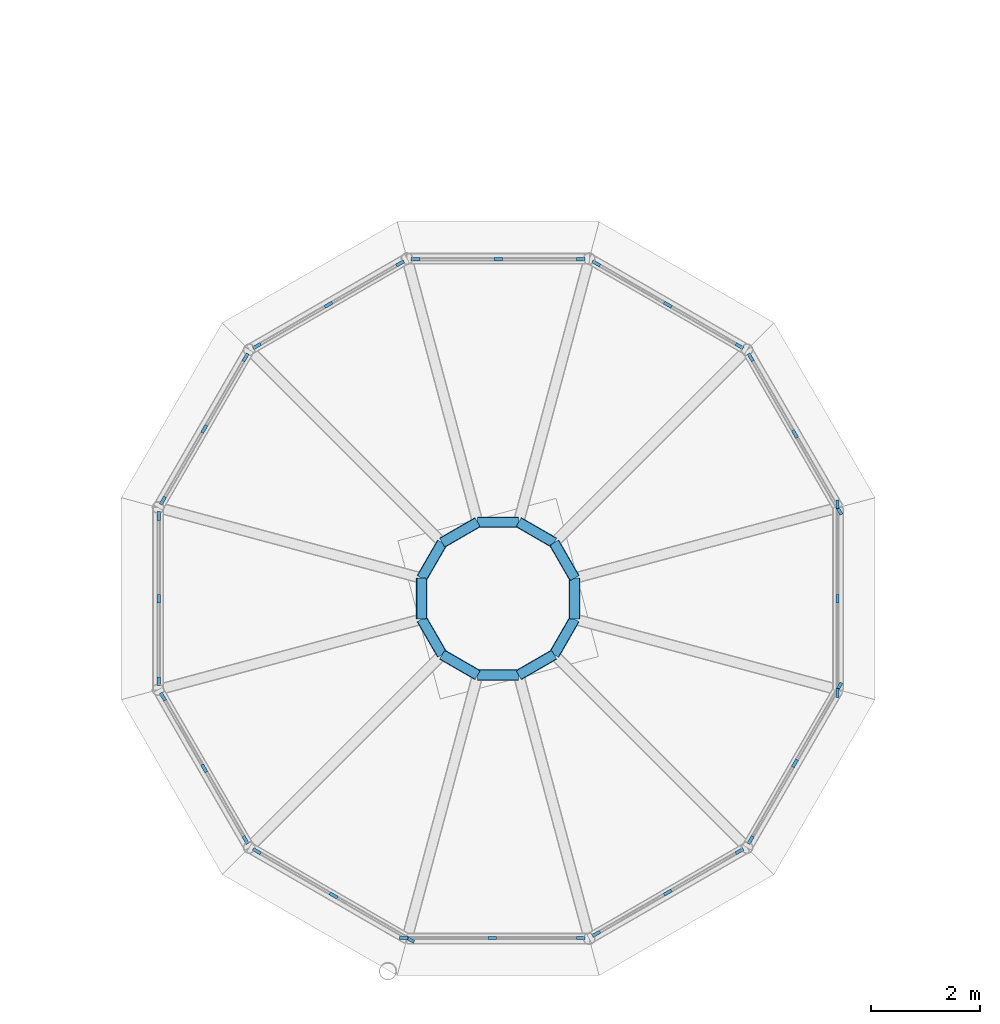
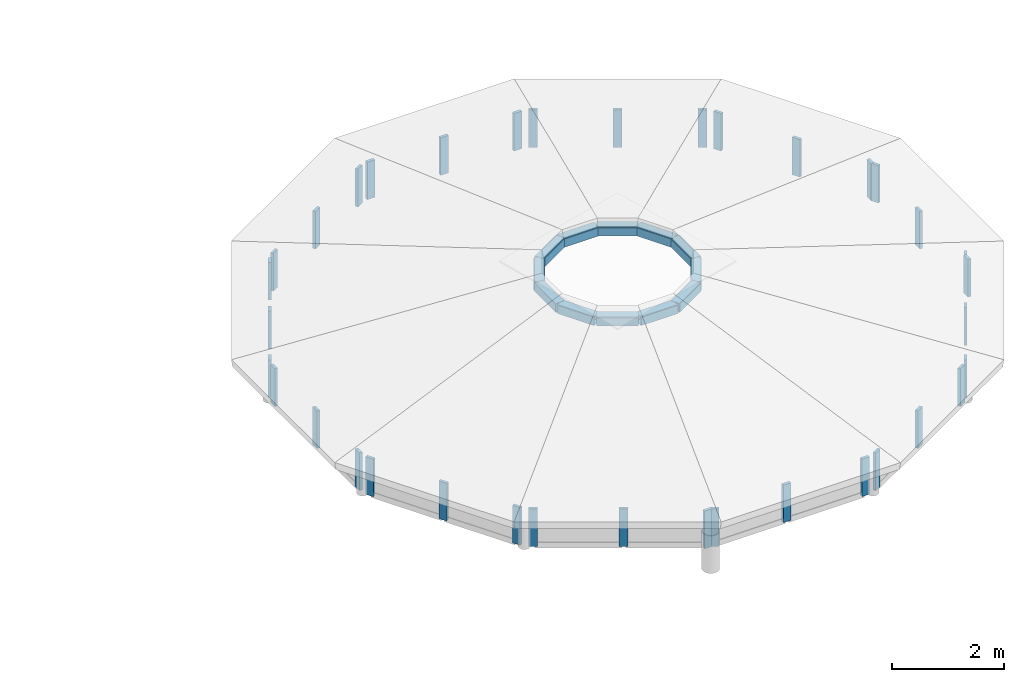
# One storey, part 4 of 18: 48 members, 12 elements without a shape of their own.
"""IFC4 building model written with IfcOpenShell, lengths in metres."""

import ifcopenshell
import ifcopenshell.guid

model = None  # the IFC model being written
_history = None  # IfcOwnerHistory: only IFC2X3 demands one
_inside = {}  # id of a spatial element -> (the spatial element, [elements in it])
_under = {}  # id of a project, library or spatial element -> (it, [spatial elements below it])
_declared = {}  # id of a project -> (the project, [libraries it declares])
_typed = {}  # id of a type object -> (the type object, [elements of that type])
_made_of = {}  # id of a material, layer set ... -> (it, [elements and type objects made of it])


def new_model(schema):
    """Start an empty IFC model of exactly this schema.

    Asked for "IFC4X3", IfcOpenShell would pick the latest addendum, in which some entities
    have other attributes; the version numbers below select the first issue.
    IFC2X3 requires an IfcOwnerHistory on every rooted entity: one is made here for all.
    """
    global model, _history
    if schema == "IFC4X3":
        model = ifcopenshell.file(schema_version=(4, 3, 0, 0))
    else:
        model = ifcopenshell.file(schema=schema)
    _inside.clear()
    _under.clear()
    _declared.clear()
    _typed.clear()
    _made_of.clear()
    _history = None
    if model.schema == "IFC2X3":
        org = make("IfcOrganization", Name="unknown")
        user = make(
            "IfcPersonAndOrganization",
            ThePerson=make("IfcPerson", FamilyName="unknown"),
            TheOrganization=org,
        )
        app = make(
            "IfcApplication",
            ApplicationDeveloper=org,
            Version="unknown",
            ApplicationFullName="unknown",
            ApplicationIdentifier="unknown",
        )
        _history = make(
            "IfcOwnerHistory",
            OwningUser=user,
            OwningApplication=app,
            ChangeAction="ADDED",
            CreationDate=0,
        )
    return model


def make(cls, **values):
    """One entity of the class cls with the attributes given. An attribute that is None is left unset."""
    return model.create_entity(
        cls, **{name: value for name, value in values.items() if value is not None}
    )


def rooted(cls, **values):
    """An entity with a GlobalId (a new one), such as an element, a storey or a relation."""
    return make(cls, GlobalId=ifcopenshell.guid.new(), OwnerHistory=_history, **values)


def si_unit(unit_type, name, prefix=None):
    """IfcSIUnit, for example si_unit("LENGTHUNIT", "METRE", prefix="MILLI")."""
    return make("IfcSIUnit", UnitType=unit_type, Prefix=prefix, Name=name)


def assignment(units):
    """IfcUnitAssignment: the units of a project."""
    return None if units is None else make("IfcUnitAssignment", Units=units)


def point(xyz):
    """IfcCartesianPoint."""
    return None if xyz is None else make("IfcCartesianPoint", Coordinates=xyz)


def direction(xyz):
    """IfcDirection."""
    return None if xyz is None else make("IfcDirection", DirectionRatios=xyz)


def frame(location, z_axis=None, x_axis=None):
    """IfcAxis2Placement3D, a coordinate frame: its origin and axes. An axis left out is left unset."""
    return make(
        "IfcAxis2Placement3D",
        Location=point(location),
        Axis=direction(z_axis),
        RefDirection=direction(x_axis),
    )


def frame_2d(location, x_axis=None):
    """IfcAxis2Placement2D, a coordinate frame in the plane: its origin and x axis."""
    return make(
        "IfcAxis2Placement2D", Location=point(location), RefDirection=direction(x_axis)
    )


def origin():
    """The frame at (0, 0, 0) with its axes left unset."""
    return frame((0.0, 0.0, 0.0))


def origin_2d():
    """The frame at (0, 0) in the plane with its x axis left unset."""
    return frame_2d((0.0, 0.0))


def place(relative_to, where):
    """IfcLocalPlacement: puts the frame where relative to a parent placement (None: the world)."""
    return make(
        "IfcLocalPlacement", PlacementRelTo=relative_to, RelativePlacement=where
    )


def context(
    kind, dimensions, precision=None, world=None, true_north=None, identifier=None
):
    """IfcGeometricRepresentationContext, for example the 3D "Model" context."""
    return make(
        "IfcGeometricRepresentationContext",
        ContextIdentifier=identifier,
        ContextType=kind,
        CoordinateSpaceDimension=dimensions,
        Precision=precision,
        WorldCoordinateSystem=world,
        TrueNorth=true_north,
    )


def subcontext(parent, identifier, kind, view, scale=None):
    """IfcGeometricRepresentationSubContext, for example "Body" below "Model"."""
    return make(
        "IfcGeometricRepresentationSubContext",
        ContextIdentifier=identifier,
        ContextType=kind,
        ParentContext=parent,
        TargetScale=scale,
        TargetView=view,
    )


def project(units=None, contexts=None):
    """IfcProject with its units and contexts."""
    return rooted(
        "IfcProject",
        Name="project",
        RepresentationContexts=contexts,
        UnitsInContext=assignment(units),
    )


def spatial(cls, under=None, at=None, **own):
    """A site, building, storey or space (cls), placed at a placement, below another one or the project."""
    s = rooted(cls, ObjectPlacement=at, **own)
    if under is not None:
        _under.setdefault(under.id(), (under, []))[1].append(s)
    return s


def profile(cls, at=None, kind="AREA", **sizes):
    """A parametric profile (cls). Its sizes go by their IFC names, for example OverallWidth=200.0."""
    return make(cls, ProfileType=kind, Position=at, **sizes)


def rectangle(**sizes):
    """IfcRectangleProfileDef."""
    return profile("IfcRectangleProfileDef", **sizes)


def hollow_rectangle(**sizes):
    """IfcRectangleHollowProfileDef."""
    return profile("IfcRectangleHollowProfileDef", **sizes)


def extrude(swept, where, along, depth):
    """IfcExtrudedAreaSolid: the profile swept, set in the frame where, extruded along a direction by depth."""
    return make(
        "IfcExtrudedAreaSolid",
        SweptArea=swept,
        Position=where,
        ExtrudedDirection=direction(along),
        Depth=depth,
    )


def shape(context_of_items, identifier, shape_type, items):
    """IfcShapeRepresentation: the items that make up one representation, for example the "Body"."""
    return make(
        "IfcShapeRepresentation",
        ContextOfItems=context_of_items,
        RepresentationIdentifier=identifier,
        RepresentationType=shape_type,
        Items=items,
    )


def material(Name=None, Category=None):
    """IfcMaterial."""
    return make("IfcMaterial", Name=Name, Category=Category)


def material_profile(
    of_material, cross_section, Name=None, Category=None, Priority=None
):
    """IfcMaterialProfile: a cross section and its material."""
    return make(
        "IfcMaterialProfile",
        Name=Name,
        Material=of_material,
        Profile=cross_section,
        Priority=Priority,
        Category=Category,
    )


def profile_set(profiles, Name=None, composite=None):
    """IfcMaterialProfileSet."""
    return make(
        "IfcMaterialProfileSet",
        Name=Name,
        MaterialProfiles=profiles,
        CompositeProfile=composite,
    )


def made_of(thing, what):
    """Note that an element or type object is made of a material, layer set ...; save() writes the relation."""
    if what is not None:
        _made_of.setdefault(what.id(), (what, []))[1].append(thing)
    return thing


def type_object(cls, material=None, **own):
    """A type object (cls), such as IfcWallType, which elements share."""
    return made_of(rooted(cls, **own), material)


def element(
    cls,
    number,
    at=None,
    inside=None,
    cuts=None,
    type_object=None,
    material=None,
    context=None,
    identifier="Body",
    shape_type=None,
    held_by="IfcProductDefinitionShape",
    body=None,
    shapes=None,
    **own,
):
    """One element of the class cls, such as IfcWall. Its Tag is "e" and its number.

    at: its placement. inside: the storey or other place that contains it. cuts: it is an
    opening in that element (IfcRelVoidsElement). A single representation is given by context,
    identifier, shape_type and body (its items); several are given by shapes. held_by: the class
    of the entity that holds the representations. save() writes the other relations.
    """
    e = rooted(cls, Tag="e%d" % number, ObjectPlacement=at, **own)
    if body is not None:
        shapes = [shape(context, identifier, shape_type, body)]
    if shapes is not None:
        e.Representation = make(held_by, Representations=shapes)
    if inside is not None:
        _inside.setdefault(inside.id(), (inside, []))[1].append(e)
    if cuts is not None:
        rooted(
            "IfcRelVoidsElement", RelatingBuildingElement=cuts, RelatedOpeningElement=e
        )
    if type_object is not None:
        _typed.setdefault(type_object.id(), (type_object, []))[1].append(e)
    return made_of(e, material)


def aggregate(whole, parts):
    """IfcRelAggregates: a whole, such as a stair, and the parts it consists of."""
    return rooted("IfcRelAggregates", RelatingObject=whole, RelatedObjects=parts)


def save(model, path):
    """Write the relations noted so far, then the file.

    IfcRelAggregates (storeys below a building ...), IfcRelContainedInSpatialStructure (elements
    in a storey), IfcRelDefinesByType, IfcRelAssociatesMaterial and IfcRelDeclares: one each for
    every whole, place, type object, material and project.
    """
    for whole, parts in _under.values():
        aggregate(whole, parts)
    for where, things in _inside.values():
        rooted(
            "IfcRelContainedInSpatialStructure",
            RelatedElements=things,
            RelatingStructure=where,
        )
    for kind, things in _typed.values():
        rooted("IfcRelDefinesByType", RelatedObjects=things, RelatingType=kind)
    for what, things in _made_of.values():
        rooted("IfcRelAssociatesMaterial", RelatedObjects=things, RelatingMaterial=what)
    for by, libraries in _declared.values():
        rooted("IfcRelDeclares", RelatingContext=by, RelatedDefinitions=libraries)
    model.write(path)


model = new_model("IFC4")

# Units and contexts
model_context = context("Model", 3, precision=1e-05, world=origin(), true_north=direction((0.0, 1.0)))
body_context = subcontext(model_context, "Body", "Model", "MODEL_VIEW")
ifc_project = project(units=[si_unit("LENGTHUNIT", "METRE"), si_unit("AREAUNIT", "SQUARE_METRE"), si_unit("VOLUMEUNIT", "CUBIC_METRE"), si_unit("PLANEANGLEUNIT", "RADIAN"), si_unit("MASSUNIT", "GRAM", prefix="KILO")], contexts=[model_context])

# Site, building, storey
site_placement = place(None, origin())
site = spatial("IfcSite", under=ifc_project, at=site_placement, CompositionType="ELEMENT")
building_placement = place(site_placement, origin())
building = spatial("IfcBuilding", under=site, at=building_placement, Name="Wrenclough Park School", CompositionType="ELEMENT")
storey_placement = place(building_placement, frame((0.0, 0.0, 20.800048828125)))
storey = spatial("IfcBuildingStorey", under=building, at=storey_placement, Name="L05", CompositionType="ELEMENT", Elevation=20.800048828125)

# Curtain wall, members
ifc_material_1 = material(Name="Thermally broken aluminium and low-e glass curtain wall", Category="aluminium")
curtain_wall_type = type_object("IfcCurtainWallType", Name="ENV-CW-16", PredefinedType="USERDEFINED", material=ifc_material_1)
curtain_wall_1_placement = place(storey_placement, origin())
curtain_wall_1 = element("IfcCurtainWall", 1, at=curtain_wall_1_placement, inside=storey, type_object=curtain_wall_type, Name="D1-SH cylindrical white-glazed stair-head curtain wall 190", ObjectType="CURTAIN WALL", PredefinedType="USERDEFINED")
ifc_material_2 = material(Name="Thermally broken anodised aluminium", Category="aluminium")
ifc_material_profile_1 = material_profile(ifc_material_2, rectangle(XDim=0.06005859375, YDim=0.159912109375, at=origin_2d()), Name="AL MULLION 60x160")
ifc_profile_set_1 = profile_set([ifc_material_profile_1], Name="Thermally broken anodised aluminium")
member_type_1 = type_object("IfcMemberType", Name="ENV-CWM-1", PredefinedType="MULLION", material=ifc_profile_set_1)
member_1_placement = place(storey_placement, frame((162.4501953125, 40.81103515625, 0.0), z_axis=(0.0, 0.0, 1.0), x_axis=(-0.86601678316, -0.500014931062, 0.0)))
member_1 = element("IfcMember", 2, at=member_1_placement, type_object=member_type_1, Name="CW-16 mullion 1", PredefinedType="MULLION", context=body_context, shape_type="SweptSolid", body=[
    extrude(rectangle(XDim=0.06005859375, YDim=0.159912109375, at=origin_2d()), origin(), (0.0, 0.0, 1.0), 0.820068359375),
])
member_2_placement = place(storey_placement, frame((161.638916015625, 42.216064453125, 0.0), z_axis=(0.0, 0.0, 1.0), x_axis=(-0.86601678316, -0.500014931062, 0.0)))
member_2 = element("IfcMember", 3, at=member_2_placement, type_object=member_type_1, Name="CW-16 mullion 2", PredefinedType="MULLION", context=body_context, shape_type="SweptSolid", body=[
    extrude(rectangle(XDim=0.06005859375, YDim=0.159912109375, at=origin_2d()), origin(), (0.0, 0.0, 1.0), 0.820068359375),
])
member_3_placement = place(storey_placement, frame((160.82763671875, 43.62109375, 0.0), z_axis=(0.0, 0.0, 1.0), x_axis=(-0.86601678316, -0.500014931062, 0.0)))
member_3 = element("IfcMember", 4, at=member_3_placement, type_object=member_type_1, Name="CW-16 mullion 3", PredefinedType="MULLION", context=body_context, shape_type="SweptSolid", body=[
    extrude(rectangle(XDim=0.06005859375, YDim=0.159912109375, at=origin_2d()), origin(), (0.0, 0.0, 1.0), 0.820068359375),
])
aggregate(curtain_wall_1, [member_1, member_2, member_3])

curtain_wall_2_placement = place(storey_placement, origin())
curtain_wall_2 = element("IfcCurtainWall", 5, at=curtain_wall_2_placement, inside=storey, type_object=curtain_wall_type, Name="D1-SH cylindrical white-glazed stair-head curtain wall 191", ObjectType="CURTAIN WALL", PredefinedType="USERDEFINED")
member_4_placement = place(storey_placement, frame((160.62109375, 43.82763671875, 0.0), z_axis=(0.0, 0.0, 1.0), x_axis=(-0.500002592159, -0.866023907196, 0.0)))
member_4 = element("IfcMember", 6, at=member_4_placement, type_object=member_type_1, Name="CW-16 mullion 1", PredefinedType="MULLION", context=body_context, shape_type="SweptSolid", body=[
    extrude(rectangle(XDim=0.06005859375, YDim=0.159912109375, at=origin_2d()), origin(), (0.0, 0.0, 1.0), 0.820068359375),
])
member_5_placement = place(storey_placement, frame((159.30908203125, 44.585205078125, 0.0), z_axis=(0.0, 0.0, 1.0), x_axis=(-0.500002592159, -0.866023907196, 0.0)))
member_5 = element("IfcMember", 7, at=member_5_placement, type_object=member_type_1, Name="CW-16 mullion 2", PredefinedType="MULLION", context=body_context, shape_type="SweptSolid", body=[
    extrude(rectangle(XDim=0.06005859375, YDim=0.159912109375, at=origin_2d()), origin(), (0.0, 0.0, 1.0), 0.820068359375),
])
member_6_placement = place(storey_placement, frame((157.9970703125, 45.3427734375, 0.0), z_axis=(0.0, 0.0, 1.0), x_axis=(-0.500002592159, -0.866023907196, 0.0)))
member_6 = element("IfcMember", 8, at=member_6_placement, type_object=member_type_1, Name="CW-16 mullion 3", PredefinedType="MULLION", context=body_context, shape_type="SweptSolid", body=[
    extrude(rectangle(XDim=0.06005859375, YDim=0.159912109375, at=origin_2d()), origin(), (0.0, 0.0, 1.0), 0.820068359375),
])
aggregate(curtain_wall_2, [member_4, member_5, member_6])

curtain_wall_3_placement = place(storey_placement, origin())
curtain_wall_3 = element("IfcCurtainWall", 9, at=curtain_wall_3_placement, inside=storey, type_object=curtain_wall_type, Name="D1-SH cylindrical white-glazed stair-head curtain wall 192", ObjectType="CURTAIN WALL", PredefinedType="USERDEFINED")
member_7_placement = place(storey_placement, frame((157.714599609375, 45.418212890625, 0.0), z_axis=(0.0, 0.0, 1.0), x_axis=(0.0, -1.0, 0.0)))
member_7 = element("IfcMember", 10, at=member_7_placement, type_object=member_type_1, Name="CW-16 mullion 1", PredefinedType="MULLION", context=body_context, shape_type="SweptSolid", body=[
    extrude(rectangle(XDim=0.06005859375, YDim=0.159912109375, at=origin_2d()), origin(), (0.0, 0.0, 1.0), 0.820068359375),
])
member_8_placement = place(storey_placement, frame((156.199951171875, 45.418212890625, 0.0), z_axis=(0.0, 0.0, 1.0), x_axis=(0.0, -1.0, 0.0)))
member_8 = element("IfcMember", 11, at=member_8_placement, type_object=member_type_1, Name="CW-16 mullion 2", PredefinedType="MULLION", context=body_context, shape_type="SweptSolid", body=[
    extrude(rectangle(XDim=0.06005859375, YDim=0.159912109375, at=origin_2d()), origin(), (0.0, 0.0, 1.0), 0.820068359375),
])
member_9_placement = place(storey_placement, frame((154.685546875, 45.418212890625, 0.0), z_axis=(0.0, 0.0, 1.0), x_axis=(0.0, -1.0, 0.0)))
member_9 = element("IfcMember", 12, at=member_9_placement, type_object=member_type_1, Name="CW-16 mullion 3", PredefinedType="MULLION", context=body_context, shape_type="SweptSolid", body=[
    extrude(rectangle(XDim=0.06005859375, YDim=0.159912109375, at=origin_2d()), origin(), (0.0, 0.0, 1.0), 0.820068359375),
])
aggregate(curtain_wall_3, [member_7, member_8, member_9])

curtain_wall_4_placement = place(storey_placement, origin())
curtain_wall_4 = element("IfcCurtainWall", 13, at=curtain_wall_4_placement, inside=storey, type_object=curtain_wall_type, Name="D1-SH cylindrical white-glazed stair-head curtain wall 193", ObjectType="CURTAIN WALL", PredefinedType="USERDEFINED")
member_10_placement = place(storey_placement, frame((154.40283203125, 45.3427734375, 0.0), z_axis=(0.0, 0.0, 1.0), x_axis=(0.500002592159, -0.866023907196, 0.0)))
member_10 = element("IfcMember", 14, at=member_10_placement, type_object=member_type_1, Name="CW-16 mullion 1", PredefinedType="MULLION", context=body_context, shape_type="SweptSolid", body=[
    extrude(rectangle(XDim=0.06005859375, YDim=0.159912109375, at=origin_2d()), origin(), (0.0, 0.0, 1.0), 0.820068359375),
])
member_11_placement = place(storey_placement, frame((153.0908203125, 44.585205078125, 0.0), z_axis=(0.0, 0.0, 1.0), x_axis=(0.500002592159, -0.866023907196, 0.0)))
member_11 = element("IfcMember", 15, at=member_11_placement, type_object=member_type_1, Name="CW-16 mullion 2", PredefinedType="MULLION", context=body_context, shape_type="SweptSolid", body=[
    extrude(rectangle(XDim=0.06005859375, YDim=0.159912109375, at=origin_2d()), origin(), (0.0, 0.0, 1.0), 0.820068359375),
])
member_12_placement = place(storey_placement, frame((151.77880859375, 43.82763671875, 0.0), z_axis=(0.0, 0.0, 1.0), x_axis=(0.500002592159, -0.866023907196, 0.0)))
member_12 = element("IfcMember", 16, at=member_12_placement, type_object=member_type_1, Name="CW-16 mullion 3", PredefinedType="MULLION", context=body_context, shape_type="SweptSolid", body=[
    extrude(rectangle(XDim=0.06005859375, YDim=0.159912109375, at=origin_2d()), origin(), (0.0, 0.0, 1.0), 0.820068359375),
])
aggregate(curtain_wall_4, [member_10, member_11, member_12])

curtain_wall_5_placement = place(storey_placement, origin())
curtain_wall_5 = element("IfcCurtainWall", 17, at=curtain_wall_5_placement, inside=storey, type_object=curtain_wall_type, Name="D1-SH cylindrical white-glazed stair-head curtain wall 194", ObjectType="CURTAIN WALL", PredefinedType="USERDEFINED")
member_13_placement = place(storey_placement, frame((151.572265625, 43.62109375, 0.0), z_axis=(0.0, 0.0, 1.0), x_axis=(0.866023907196, -0.500002592159, 0.0)))
member_13 = element("IfcMember", 18, at=member_13_placement, type_object=member_type_1, Name="CW-16 mullion 1", PredefinedType="MULLION", context=body_context, shape_type="SweptSolid", body=[
    extrude(rectangle(XDim=0.06005859375, YDim=0.159912109375, at=origin_2d()), origin(), (0.0, 0.0, 1.0), 0.820068359375),
])
member_14_placement = place(storey_placement, frame((150.814697265625, 42.30908203125, 0.0), z_axis=(0.0, 0.0, 1.0), x_axis=(0.866023907196, -0.500002592159, 0.0)))
member_14 = element("IfcMember", 19, at=member_14_placement, type_object=member_type_1, Name="CW-16 mullion 2", PredefinedType="MULLION", context=body_context, shape_type="SweptSolid", body=[
    extrude(rectangle(XDim=0.06005859375, YDim=0.159912109375, at=origin_2d()), origin(), (0.0, 0.0, 1.0), 0.820068359375),
])
member_15_placement = place(storey_placement, frame((150.057373046875, 40.9970703125, 0.0), z_axis=(0.0, 0.0, 1.0), x_axis=(0.866023907196, -0.500002592159, 0.0)))
member_15 = element("IfcMember", 20, at=member_15_placement, type_object=member_type_1, Name="CW-16 mullion 3", PredefinedType="MULLION", context=body_context, shape_type="SweptSolid", body=[
    extrude(rectangle(XDim=0.06005859375, YDim=0.159912109375, at=origin_2d()), origin(), (0.0, 0.0, 1.0), 0.820068359375),
])
aggregate(curtain_wall_5, [member_13, member_14, member_15])

curtain_wall_6_placement = place(storey_placement, origin())
curtain_wall_6 = element("IfcCurtainWall", 21, at=curtain_wall_6_placement, inside=storey, type_object=curtain_wall_type, Name="D1-SH cylindrical white-glazed stair-head curtain wall 195", ObjectType="CURTAIN WALL", PredefinedType="USERDEFINED")
member_16_placement = place(storey_placement, frame((149.981689453125, 40.714599609375, 0.0), z_axis=(0.0, 0.0, 1.0), x_axis=(1.0, 0.0, 0.0)))
member_16 = element("IfcMember", 22, at=member_16_placement, type_object=member_type_1, Name="CW-16 mullion 1", PredefinedType="MULLION", context=body_context, shape_type="SweptSolid", body=[
    extrude(rectangle(XDim=0.06005859375, YDim=0.159912109375, at=origin_2d()), origin(), (0.0, 0.0, 1.0), 0.820068359375),
])
member_17_placement = place(storey_placement, frame((149.981689453125, 39.199951171875, 0.0), z_axis=(0.0, 0.0, 1.0), x_axis=(1.0, 0.0, 0.0)))
member_17 = element("IfcMember", 23, at=member_17_placement, type_object=member_type_1, Name="CW-16 mullion 2", PredefinedType="MULLION", context=body_context, shape_type="SweptSolid", body=[
    extrude(rectangle(XDim=0.06005859375, YDim=0.159912109375, at=origin_2d()), origin(), (0.0, 0.0, 1.0), 0.820068359375),
])
member_18_placement = place(storey_placement, frame((149.981689453125, 37.685546875, 0.0), z_axis=(0.0, 0.0, 1.0), x_axis=(1.0, 0.0, 0.0)))
member_18 = element("IfcMember", 24, at=member_18_placement, type_object=member_type_1, Name="CW-16 mullion 3", PredefinedType="MULLION", context=body_context, shape_type="SweptSolid", body=[
    extrude(rectangle(XDim=0.06005859375, YDim=0.159912109375, at=origin_2d()), origin(), (0.0, 0.0, 1.0), 0.820068359375),
])
aggregate(curtain_wall_6, [member_16, member_17, member_18])

curtain_wall_7_placement = place(storey_placement, origin())
curtain_wall_7 = element("IfcCurtainWall", 25, at=curtain_wall_7_placement, inside=storey, type_object=curtain_wall_type, Name="D1-SH cylindrical white-glazed stair-head curtain wall 196", ObjectType="CURTAIN WALL", PredefinedType="USERDEFINED")
member_19_placement = place(storey_placement, frame((150.057373046875, 37.40283203125, 0.0), z_axis=(0.0, 0.0, 1.0), x_axis=(0.866023907196, 0.500002592159, 0.0)))
member_19 = element("IfcMember", 26, at=member_19_placement, type_object=member_type_1, Name="CW-16 mullion 1", PredefinedType="MULLION", context=body_context, shape_type="SweptSolid", body=[
    extrude(rectangle(XDim=0.06005859375, YDim=0.159912109375, at=origin_2d()), origin(), (0.0, 0.0, 1.0), 0.820068359375),
])
member_20_placement = place(storey_placement, frame((150.814697265625, 36.0908203125, 0.0), z_axis=(0.0, 0.0, 1.0), x_axis=(0.866023907196, 0.500002592159, 0.0)))
member_20 = element("IfcMember", 27, at=member_20_placement, type_object=member_type_1, Name="CW-16 mullion 2", PredefinedType="MULLION", context=body_context, shape_type="SweptSolid", body=[
    extrude(rectangle(XDim=0.06005859375, YDim=0.159912109375, at=origin_2d()), origin(), (0.0, 0.0, 1.0), 0.820068359375),
])
member_21_placement = place(storey_placement, frame((151.572265625, 34.77880859375, 0.0), z_axis=(0.0, 0.0, 1.0), x_axis=(0.866023907196, 0.500002592159, 0.0)))
member_21 = element("IfcMember", 28, at=member_21_placement, type_object=member_type_1, Name="CW-16 mullion 3", PredefinedType="MULLION", context=body_context, shape_type="SweptSolid", body=[
    extrude(rectangle(XDim=0.06005859375, YDim=0.159912109375, at=origin_2d()), origin(), (0.0, 0.0, 1.0), 0.820068359375),
])
aggregate(curtain_wall_7, [member_19, member_20, member_21])

curtain_wall_8_placement = place(storey_placement, origin())
curtain_wall_8 = element("IfcCurtainWall", 29, at=curtain_wall_8_placement, inside=storey, type_object=curtain_wall_type, Name="D1-SH cylindrical white-glazed stair-head curtain wall 197", ObjectType="CURTAIN WALL", PredefinedType="USERDEFINED")
member_22_placement = place(storey_placement, frame((151.77880859375, 34.572265625, 0.0), z_axis=(0.0, 0.0, 1.0), x_axis=(0.500014931062, 0.86601678316, 0.0)))
member_22 = element("IfcMember", 30, at=member_22_placement, type_object=member_type_1, Name="CW-16 mullion 1", PredefinedType="MULLION", context=body_context, shape_type="SweptSolid", body=[
    extrude(rectangle(XDim=0.06005859375, YDim=0.159912109375, at=origin_2d()), origin(), (0.0, 0.0, 1.0), 0.820068359375),
])
member_23_placement = place(storey_placement, frame((153.183837890625, 33.760986328125, 0.0), z_axis=(0.0, 0.0, 1.0), x_axis=(0.500014931062, 0.86601678316, 0.0)))
member_23 = element("IfcMember", 31, at=member_23_placement, type_object=member_type_1, Name="CW-16 mullion 2", PredefinedType="MULLION", context=body_context, shape_type="SweptSolid", body=[
    extrude(rectangle(XDim=0.06005859375, YDim=0.159912109375, at=origin_2d()), origin(), (0.0, 0.0, 1.0), 0.820068359375),
])
member_24_placement = place(storey_placement, frame((154.589111328125, 32.94970703125, 0.0), z_axis=(0.0, 0.0, 1.0), x_axis=(0.500014931062, 0.86601678316, 0.0)))
member_24 = element("IfcMember", 32, at=member_24_placement, type_object=member_type_1, Name="CW-16 mullion 3", PredefinedType="MULLION", context=body_context, shape_type="SweptSolid", body=[
    extrude(rectangle(XDim=0.06005859375, YDim=0.159912109375, at=origin_2d()), origin(), (0.0, 0.0, 1.0), 0.820068359375),
])
aggregate(curtain_wall_8, [member_22, member_23, member_24])

curtain_wall_9_placement = place(storey_placement, origin())
curtain_wall_9 = element("IfcCurtainWall", 33, at=curtain_wall_9_placement, inside=storey, type_object=curtain_wall_type, Name="D1-SH cylindrical white-glazed stair-head curtain wall 198", ObjectType="CURTAIN WALL", PredefinedType="USERDEFINED")
member_25_placement = place(storey_placement, frame((154.469970703125, 32.981689453125, 0.0), z_axis=(0.0, 0.0, 1.0), x_axis=(0.0, 1.0, 0.0)))
member_25 = element("IfcMember", 34, at=member_25_placement, type_object=member_type_1, Name="CW-16 mullion 1", PredefinedType="MULLION", context=body_context, shape_type="SweptSolid", body=[
    extrude(rectangle(XDim=0.06005859375, YDim=0.159912109375, at=origin_2d()), origin(), (0.0, 0.0, 1.0), 0.820068359375),
])
member_26_placement = place(storey_placement, frame((156.09228515625, 32.981689453125, 0.0), z_axis=(0.0, 0.0, 1.0), x_axis=(0.0, 1.0, 0.0)))
member_26 = element("IfcMember", 35, at=member_26_placement, type_object=member_type_1, Name="CW-16 mullion 2", PredefinedType="MULLION", context=body_context, shape_type="SweptSolid", body=[
    extrude(rectangle(XDim=0.06005859375, YDim=0.159912109375, at=origin_2d()), origin(), (0.0, 0.0, 1.0), 0.820068359375),
])
member_27_placement = place(storey_placement, frame((157.714599609375, 32.981689453125, 0.0), z_axis=(0.0, 0.0, 1.0), x_axis=(0.0, 1.0, 0.0)))
member_27 = element("IfcMember", 36, at=member_27_placement, type_object=member_type_1, Name="CW-16 mullion 3", PredefinedType="MULLION", context=body_context, shape_type="SweptSolid", body=[
    extrude(rectangle(XDim=0.06005859375, YDim=0.159912109375, at=origin_2d()), origin(), (0.0, 0.0, 1.0), 0.820068359375),
])
aggregate(curtain_wall_9, [member_25, member_26, member_27])

curtain_wall_10_placement = place(storey_placement, origin())
curtain_wall_10 = element("IfcCurtainWall", 37, at=curtain_wall_10_placement, inside=storey, type_object=curtain_wall_type, Name="D1-SH cylindrical white-glazed stair-head curtain wall 199", ObjectType="CURTAIN WALL", PredefinedType="USERDEFINED")
member_28_placement = place(storey_placement, frame((157.9970703125, 33.057373046875, 0.0), z_axis=(0.0, 0.0, 1.0), x_axis=(-0.500002592159, 0.866023907196, 0.0)))
member_28 = element("IfcMember", 38, at=member_28_placement, type_object=member_type_1, Name="CW-16 mullion 1", PredefinedType="MULLION", context=body_context, shape_type="SweptSolid", body=[
    extrude(rectangle(XDim=0.06005859375, YDim=0.159912109375, at=origin_2d()), origin(), (0.0, 0.0, 1.0), 0.820068359375),
])
member_29_placement = place(storey_placement, frame((159.30908203125, 33.814697265625, 0.0), z_axis=(0.0, 0.0, 1.0), x_axis=(-0.500002592159, 0.866023907196, 0.0)))
member_29 = element("IfcMember", 39, at=member_29_placement, type_object=member_type_1, Name="CW-16 mullion 2", PredefinedType="MULLION", context=body_context, shape_type="SweptSolid", body=[
    extrude(rectangle(XDim=0.06005859375, YDim=0.159912109375, at=origin_2d()), origin(), (0.0, 0.0, 1.0), 0.820068359375),
])
member_30_placement = place(storey_placement, frame((160.62109375, 34.572265625, 0.0), z_axis=(0.0, 0.0, 1.0), x_axis=(-0.500002592159, 0.866023907196, 0.0)))
member_30 = element("IfcMember", 40, at=member_30_placement, type_object=member_type_1, Name="CW-16 mullion 3", PredefinedType="MULLION", context=body_context, shape_type="SweptSolid", body=[
    extrude(rectangle(XDim=0.06005859375, YDim=0.159912109375, at=origin_2d()), origin(), (0.0, 0.0, 1.0), 0.820068359375),
])
aggregate(curtain_wall_10, [member_28, member_29, member_30])

curtain_wall_11_placement = place(storey_placement, origin())
curtain_wall_11 = element("IfcCurtainWall", 41, at=curtain_wall_11_placement, inside=storey, type_object=curtain_wall_type, Name="D1-SH cylindrical white-glazed stair-head curtain wall 200", ObjectType="CURTAIN WALL", PredefinedType="USERDEFINED")
member_31_placement = place(storey_placement, frame((160.82763671875, 34.77880859375, 0.0), z_axis=(0.0, 0.0, 1.0), x_axis=(-0.86601678316, 0.500014931062, 0.0)))
member_31 = element("IfcMember", 42, at=member_31_placement, type_object=member_type_1, Name="CW-16 mullion 1", PredefinedType="MULLION", context=body_context, shape_type="SweptSolid", body=[
    extrude(rectangle(XDim=0.06005859375, YDim=0.159912109375, at=origin_2d()), origin(), (0.0, 0.0, 1.0), 0.820068359375),
])
member_32_placement = place(storey_placement, frame((161.638916015625, 36.183837890625, 0.0), z_axis=(0.0, 0.0, 1.0), x_axis=(-0.86601678316, 0.500014931062, 0.0)))
member_32 = element("IfcMember", 43, at=member_32_placement, type_object=member_type_1, Name="CW-16 mullion 2", PredefinedType="MULLION", context=body_context, shape_type="SweptSolid", body=[
    extrude(rectangle(XDim=0.06005859375, YDim=0.159912109375, at=origin_2d()), origin(), (0.0, 0.0, 1.0), 0.820068359375),
])
member_33_placement = place(storey_placement, frame((162.4501953125, 37.589111328125, 0.0), z_axis=(0.0, 0.0, 1.0), x_axis=(-0.86601678316, 0.500014931062, 0.0)))
member_33 = element("IfcMember", 44, at=member_33_placement, type_object=member_type_1, Name="CW-16 mullion 3", PredefinedType="MULLION", context=body_context, shape_type="SweptSolid", body=[
    extrude(rectangle(XDim=0.06005859375, YDim=0.159912109375, at=origin_2d()), origin(), (0.0, 0.0, 1.0), 0.820068359375),
])
aggregate(curtain_wall_11, [member_31, member_32, member_33])

curtain_wall_12_placement = place(storey_placement, origin())
curtain_wall_12 = element("IfcCurtainWall", 45, at=curtain_wall_12_placement, inside=storey, type_object=curtain_wall_type, Name="D1-SH cylindrical white-glazed stair-head curtain wall 201", ObjectType="CURTAIN WALL", PredefinedType="USERDEFINED")
member_34_placement = place(storey_placement, frame((162.418212890625, 37.469970703125, 0.0), z_axis=(0.0, 0.0, 1.0), x_axis=(-1.0, 0.0, 0.0)))
member_34 = element("IfcMember", 46, at=member_34_placement, type_object=member_type_1, Name="CW-16 mullion 1", PredefinedType="MULLION", context=body_context, shape_type="SweptSolid", body=[
    extrude(rectangle(XDim=0.06005859375, YDim=0.159912109375, at=origin_2d()), origin(), (0.0, 0.0, 1.0), 0.820068359375),
])
member_35_placement = place(storey_placement, frame((162.418212890625, 39.199951171875, 0.0), z_axis=(0.0, 0.0, 1.0), x_axis=(-1.0, 0.0, 0.0)))
member_35 = element("IfcMember", 47, at=member_35_placement, type_object=member_type_1, Name="CW-16 mullion 2", PredefinedType="MULLION", context=body_context, shape_type="SweptSolid", body=[
    extrude(rectangle(XDim=0.06005859375, YDim=0.159912109375, at=origin_2d()), origin(), (0.0, 0.0, 1.0), 0.820068359375),
])
member_36_placement = place(storey_placement, frame((162.418212890625, 40.929931640625, 0.0), z_axis=(0.0, 0.0, 1.0), x_axis=(-1.0, 0.0, 0.0)))
member_36 = element("IfcMember", 48, at=member_36_placement, type_object=member_type_1, Name="CW-16 mullion 3", PredefinedType="MULLION", context=body_context, shape_type="SweptSolid", body=[
    extrude(rectangle(XDim=0.06005859375, YDim=0.159912109375, at=origin_2d()), origin(), (0.0, 0.0, 1.0), 0.820068359375),
])
aggregate(curtain_wall_12, [member_34, member_35, member_36])

# Members
ifc_material_3 = material(Name="Structural steel S355", Category="steel")
ifc_material_profile_2 = material_profile(ifc_material_3, hollow_rectangle(XDim=0.199951171875, YDim=0.199951171875, WallThickness=0.012451171875, InnerFilletRadius=0.012451171875, OuterFilletRadius=0.018798828125, at=origin_2d()), Name="SHS 200x200x12.5")
ifc_profile_set_2 = profile_set([ifc_material_profile_2], Name="Structural steel S355")
member_type_2 = type_object("IfcMemberType", Name="STR-MEM-LANTERN", PredefinedType="MEMBER", material=ifc_profile_set_2)
for number, where, z_axis, x_axis, name in (
    (49, (157.6005859375, 39.5751953125, 1.579833984375), (-0.499881992916, 0.866093524487, 0.0), (-0.866093524487, -0.499881992916, 0.0), "D1-SH central skylight oculus ring member 1"),
    (50, (157.225341796875, 40.225341796875, 1.579833984375), (-0.866093524487, 0.499881992916, 0.0), (-0.499881992916, -0.866093524487, 0.0), "D1-SH central skylight oculus ring member 2"),
):
    element("IfcMember", number, at=place(storey_placement, frame(where, z_axis=z_axis, x_axis=x_axis)), inside=storey, type_object=member_type_2, Name=name, PredefinedType="MEMBER", context=body_context, shape_type="SweptSolid", body=[
        extrude(hollow_rectangle(XDim=0.199951171875, YDim=0.199951171875, WallThickness=0.012451171875, InnerFilletRadius=0.012451171875, OuterFilletRadius=0.018798828125, at=origin_2d()), origin(), (0.0, 0.0, 1.0), 0.750732421875),
    ])
for number, where, z_axis, x_axis, name in (
    (51, (156.5751953125, 40.6005859375, 1.579833984375), (-1.0, 0.0, 0.0), (0.0, -1.0, 0.0), "D1-SH central skylight oculus ring member 3"),
    (52, (155.82470703125, 40.6005859375, 1.579833984375), (-0.866012220445, -0.500022833518, 0.0), (0.500022833518, -0.866012220445, 0.0), "D1-SH central skylight oculus ring member 4"),
):
    element("IfcMember", number, at=place(storey_placement, frame(where, z_axis=z_axis, x_axis=x_axis)), inside=storey, type_object=member_type_2, Name=name, PredefinedType="MEMBER", context=body_context, shape_type="SweptSolid", body=[
        extrude(hollow_rectangle(XDim=0.199951171875, YDim=0.199951171875, WallThickness=0.012451171875, InnerFilletRadius=0.012451171875, OuterFilletRadius=0.018798828125, at=origin_2d()), origin(), (0.0, 0.0, 1.0), 0.75048828125),
    ])
member_37_placement = place(storey_placement, frame((155.1748046875, 40.225341796875, 1.579833984375), z_axis=(-0.500125896, -0.865952705493, 0.0), x_axis=(0.865952705493, -0.500125896, 0.0)))
element("IfcMember", 53, at=member_37_placement, inside=storey, type_object=member_type_2, Name="D1-SH central skylight oculus ring member 5", PredefinedType="MEMBER", context=body_context, shape_type="SweptSolid", body=[
    extrude(hollow_rectangle(XDim=0.199951171875, YDim=0.199951171875, WallThickness=0.012451171875, InnerFilletRadius=0.012451171875, OuterFilletRadius=0.018798828125, at=origin_2d()), origin(), (0.0, 0.0, 1.0), 0.750732421875),
])
for number, where, z_axis, x_axis, name in (
    (54, (154.79931640625, 39.5751953125, 1.579833984375), (0.0, -1.0, 0.0), (1.0, 0.0, 0.0), "D1-SH central skylight oculus ring member 6"),
    (55, (154.79931640625, 38.82470703125, 1.579833984375), (0.500266759484, -0.865871335335, 0.0), (0.865871335335, 0.500266759484, 0.0), "D1-SH central skylight oculus ring member 7"),
    (56, (155.1748046875, 38.1748046875, 1.579833984375), (0.865871335335, -0.500266759484, 0.0), (0.500266759484, 0.865871335335, 0.0), "D1-SH central skylight oculus ring member 8"),
    (57, (155.82470703125, 37.79931640625, 1.579833984375), (1.0, 0.0, 0.0), (0.0, 1.0, 0.0), "D1-SH central skylight oculus ring member 9"),
):
    element("IfcMember", number, at=place(storey_placement, frame(where, z_axis=z_axis, x_axis=x_axis)), inside=storey, type_object=member_type_2, Name=name, PredefinedType="MEMBER", context=body_context, shape_type="SweptSolid", body=[
        extrude(hollow_rectangle(XDim=0.199951171875, YDim=0.199951171875, WallThickness=0.012451171875, InnerFilletRadius=0.012451171875, OuterFilletRadius=0.018798828125, at=origin_2d()), origin(), (0.0, 0.0, 1.0), 0.75048828125),
    ])
member_38_placement = place(storey_placement, frame((156.5751953125, 37.79931640625, 1.579833984375), z_axis=(0.865952705493, 0.500125896, 0.0), x_axis=(-0.500125896, 0.865952705493, 0.0)))
element("IfcMember", 58, at=member_38_placement, inside=storey, type_object=member_type_2, Name="D1-SH central skylight oculus ring member 10", PredefinedType="MEMBER", context=body_context, shape_type="SweptSolid", body=[
    extrude(hollow_rectangle(XDim=0.199951171875, YDim=0.199951171875, WallThickness=0.012451171875, InnerFilletRadius=0.012451171875, OuterFilletRadius=0.018798828125, at=origin_2d()), origin(), (0.0, 0.0, 1.0), 0.750732421875),
])
for number, where, z_axis, x_axis, name in (
    (59, (157.225341796875, 38.1748046875, 1.579833984375), (0.500022833518, 0.866012220445, 0.0), (-0.866012220445, 0.500022833518, 0.0), "D1-SH central skylight oculus ring member 11"),
    (60, (157.6005859375, 38.82470703125, 1.579833984375), (0.0, 1.0, 0.0), (-1.0, 0.0, 0.0), "D1-SH central skylight oculus ring member 12"),
):
    element("IfcMember", number, at=place(storey_placement, frame(where, z_axis=z_axis, x_axis=x_axis)), inside=storey, type_object=member_type_2, Name=name, PredefinedType="MEMBER", context=body_context, shape_type="SweptSolid", body=[
        extrude(hollow_rectangle(XDim=0.199951171875, YDim=0.199951171875, WallThickness=0.012451171875, InnerFilletRadius=0.012451171875, OuterFilletRadius=0.018798828125, at=origin_2d()), origin(), (0.0, 0.0, 1.0), 0.75048828125),
    ])

save(model, "model.ifc")
